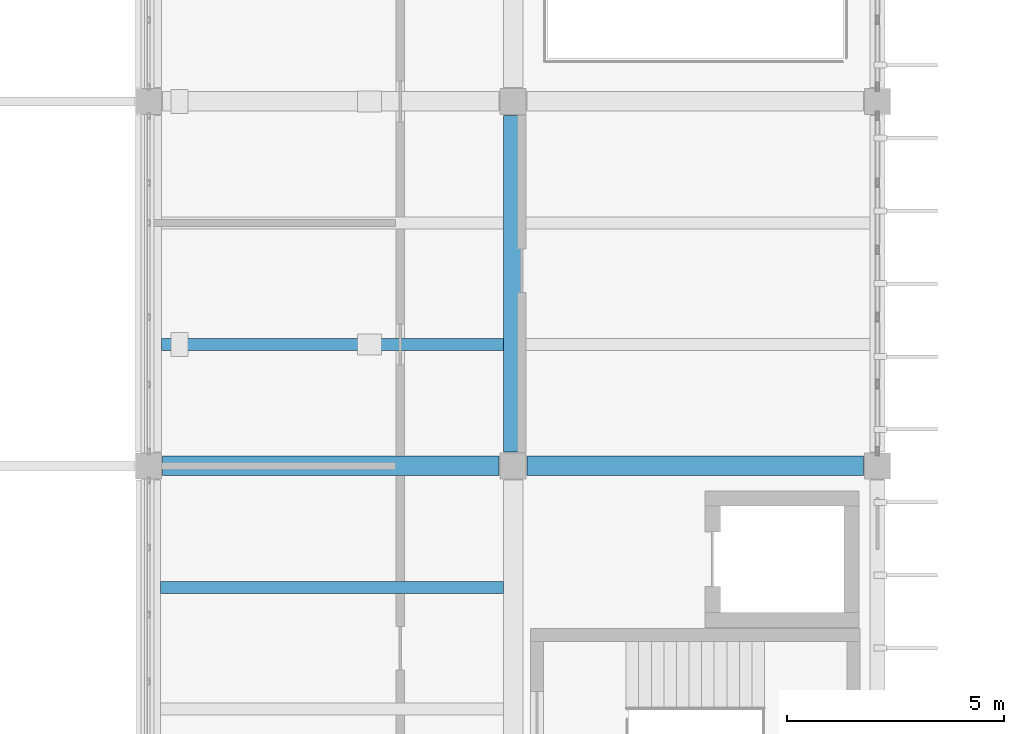
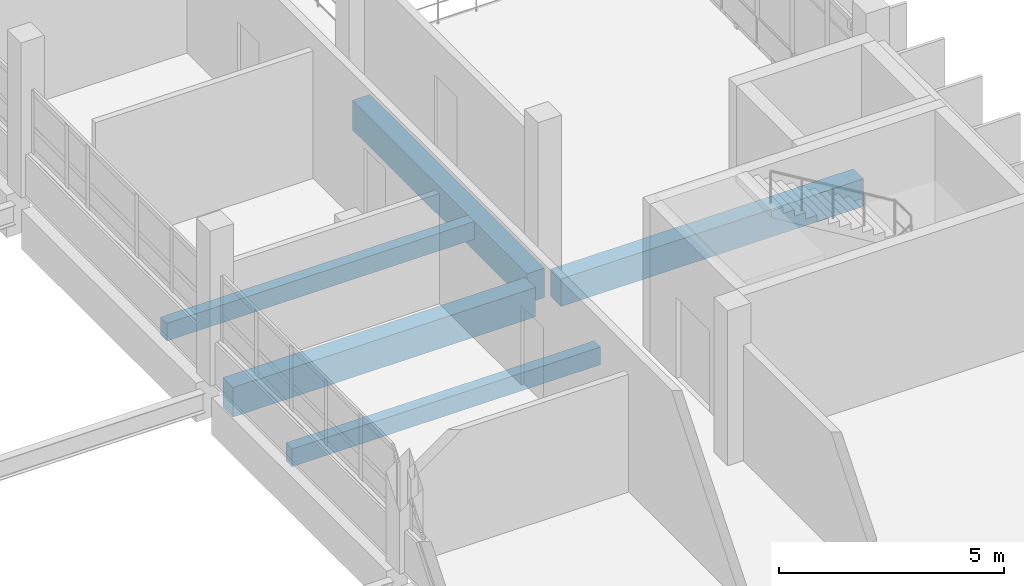
# One storey, part 46 of 130: 5 beams.
"""IFC4 building model written with IfcOpenShell, lengths in metres."""

import ifcopenshell
import ifcopenshell.guid

model = None  # the IFC model being written
_history = None  # IfcOwnerHistory: only IFC2X3 demands one
_inside = {}  # id of a spatial element -> (the spatial element, [elements in it])
_under = {}  # id of a project, library or spatial element -> (it, [spatial elements below it])
_declared = {}  # id of a project -> (the project, [libraries it declares])
_typed = {}  # id of a type object -> (the type object, [elements of that type])
_made_of = {}  # id of a material, layer set ... -> (it, [elements and type objects made of it])


def new_model(schema):
    """Start an empty IFC model of exactly this schema.

    Asked for "IFC4X3", IfcOpenShell would pick the latest addendum, in which some entities
    have other attributes; the version numbers below select the first issue.
    IFC2X3 requires an IfcOwnerHistory on every rooted entity: one is made here for all.
    """
    global model, _history
    if schema == "IFC4X3":
        model = ifcopenshell.file(schema_version=(4, 3, 0, 0))
    else:
        model = ifcopenshell.file(schema=schema)
    _inside.clear()
    _under.clear()
    _declared.clear()
    _typed.clear()
    _made_of.clear()
    _history = None
    if model.schema == "IFC2X3":
        org = make("IfcOrganization", Name="unknown")
        user = make(
            "IfcPersonAndOrganization",
            ThePerson=make("IfcPerson", FamilyName="unknown"),
            TheOrganization=org,
        )
        app = make(
            "IfcApplication",
            ApplicationDeveloper=org,
            Version="unknown",
            ApplicationFullName="unknown",
            ApplicationIdentifier="unknown",
        )
        _history = make(
            "IfcOwnerHistory",
            OwningUser=user,
            OwningApplication=app,
            ChangeAction="ADDED",
            CreationDate=0,
        )
    return model


def make(cls, **values):
    """One entity of the class cls with the attributes given. An attribute that is None is left unset."""
    return model.create_entity(
        cls, **{name: value for name, value in values.items() if value is not None}
    )


def rooted(cls, **values):
    """An entity with a GlobalId (a new one), such as an element, a storey or a relation."""
    return make(cls, GlobalId=ifcopenshell.guid.new(), OwnerHistory=_history, **values)


def si_unit(unit_type, name, prefix=None):
    """IfcSIUnit, for example si_unit("LENGTHUNIT", "METRE", prefix="MILLI")."""
    return make("IfcSIUnit", UnitType=unit_type, Prefix=prefix, Name=name)


def assignment(units):
    """IfcUnitAssignment: the units of a project."""
    return None if units is None else make("IfcUnitAssignment", Units=units)


def point(xyz):
    """IfcCartesianPoint."""
    return None if xyz is None else make("IfcCartesianPoint", Coordinates=xyz)


def direction(xyz):
    """IfcDirection."""
    return None if xyz is None else make("IfcDirection", DirectionRatios=xyz)


def frame(location, z_axis=None, x_axis=None):
    """IfcAxis2Placement3D, a coordinate frame: its origin and axes. An axis left out is left unset."""
    return make(
        "IfcAxis2Placement3D",
        Location=point(location),
        Axis=direction(z_axis),
        RefDirection=direction(x_axis),
    )


def frame_2d(location, x_axis=None):
    """IfcAxis2Placement2D, a coordinate frame in the plane: its origin and x axis."""
    return make(
        "IfcAxis2Placement2D", Location=point(location), RefDirection=direction(x_axis)
    )


def origin():
    """The frame at (0, 0, 0) with its axes left unset."""
    return frame((0.0, 0.0, 0.0))


def origin_2d():
    """The frame at (0, 0) in the plane with its x axis left unset."""
    return frame_2d((0.0, 0.0))


def place(relative_to, where):
    """IfcLocalPlacement: puts the frame where relative to a parent placement (None: the world)."""
    return make(
        "IfcLocalPlacement", PlacementRelTo=relative_to, RelativePlacement=where
    )


def context(
    kind, dimensions, precision=None, world=None, true_north=None, identifier=None
):
    """IfcGeometricRepresentationContext, for example the 3D "Model" context."""
    return make(
        "IfcGeometricRepresentationContext",
        ContextIdentifier=identifier,
        ContextType=kind,
        CoordinateSpaceDimension=dimensions,
        Precision=precision,
        WorldCoordinateSystem=world,
        TrueNorth=true_north,
    )


def subcontext(parent, identifier, kind, view, scale=None):
    """IfcGeometricRepresentationSubContext, for example "Body" below "Model"."""
    return make(
        "IfcGeometricRepresentationSubContext",
        ContextIdentifier=identifier,
        ContextType=kind,
        ParentContext=parent,
        TargetScale=scale,
        TargetView=view,
    )


def project(units=None, contexts=None):
    """IfcProject with its units and contexts."""
    return rooted(
        "IfcProject",
        Name="project",
        RepresentationContexts=contexts,
        UnitsInContext=assignment(units),
    )


def spatial(cls, under=None, at=None, **own):
    """A site, building, storey or space (cls), placed at a placement, below another one or the project."""
    s = rooted(cls, ObjectPlacement=at, **own)
    if under is not None:
        _under.setdefault(under.id(), (under, []))[1].append(s)
    return s


def profile(cls, at=None, kind="AREA", **sizes):
    """A parametric profile (cls). Its sizes go by their IFC names, for example OverallWidth=200.0."""
    return make(cls, ProfileType=kind, Position=at, **sizes)


def rectangle(**sizes):
    """IfcRectangleProfileDef."""
    return profile("IfcRectangleProfileDef", **sizes)


def extrude(swept, where, along, depth):
    """IfcExtrudedAreaSolid: the profile swept, set in the frame where, extruded along a direction by depth."""
    return make(
        "IfcExtrudedAreaSolid",
        SweptArea=swept,
        Position=where,
        ExtrudedDirection=direction(along),
        Depth=depth,
    )


def shape(context_of_items, identifier, shape_type, items):
    """IfcShapeRepresentation: the items that make up one representation, for example the "Body"."""
    return make(
        "IfcShapeRepresentation",
        ContextOfItems=context_of_items,
        RepresentationIdentifier=identifier,
        RepresentationType=shape_type,
        Items=items,
    )


def material(Name=None, Category=None):
    """IfcMaterial."""
    return make("IfcMaterial", Name=Name, Category=Category)


def material_profile(
    of_material, cross_section, Name=None, Category=None, Priority=None
):
    """IfcMaterialProfile: a cross section and its material."""
    return make(
        "IfcMaterialProfile",
        Name=Name,
        Material=of_material,
        Profile=cross_section,
        Priority=Priority,
        Category=Category,
    )


def profile_set(profiles, Name=None, composite=None):
    """IfcMaterialProfileSet."""
    return make(
        "IfcMaterialProfileSet",
        Name=Name,
        MaterialProfiles=profiles,
        CompositeProfile=composite,
    )


def made_of(thing, what):
    """Note that an element or type object is made of a material, layer set ...; save() writes the relation."""
    if what is not None:
        _made_of.setdefault(what.id(), (what, []))[1].append(thing)
    return thing


def type_object(cls, material=None, **own):
    """A type object (cls), such as IfcWallType, which elements share."""
    return made_of(rooted(cls, **own), material)


def element(
    cls,
    number,
    at=None,
    inside=None,
    cuts=None,
    type_object=None,
    material=None,
    context=None,
    identifier="Body",
    shape_type=None,
    held_by="IfcProductDefinitionShape",
    body=None,
    shapes=None,
    **own,
):
    """One element of the class cls, such as IfcWall. Its Tag is "e" and its number.

    at: its placement. inside: the storey or other place that contains it. cuts: it is an
    opening in that element (IfcRelVoidsElement). A single representation is given by context,
    identifier, shape_type and body (its items); several are given by shapes. held_by: the class
    of the entity that holds the representations. save() writes the other relations.
    """
    e = rooted(cls, Tag="e%d" % number, ObjectPlacement=at, **own)
    if body is not None:
        shapes = [shape(context, identifier, shape_type, body)]
    if shapes is not None:
        e.Representation = make(held_by, Representations=shapes)
    if inside is not None:
        _inside.setdefault(inside.id(), (inside, []))[1].append(e)
    if cuts is not None:
        rooted(
            "IfcRelVoidsElement", RelatingBuildingElement=cuts, RelatedOpeningElement=e
        )
    if type_object is not None:
        _typed.setdefault(type_object.id(), (type_object, []))[1].append(e)
    return made_of(e, material)


def aggregate(whole, parts):
    """IfcRelAggregates: a whole, such as a stair, and the parts it consists of."""
    return rooted("IfcRelAggregates", RelatingObject=whole, RelatedObjects=parts)


def save(model, path):
    """Write the relations noted so far, then the file.

    IfcRelAggregates (storeys below a building ...), IfcRelContainedInSpatialStructure (elements
    in a storey), IfcRelDefinesByType, IfcRelAssociatesMaterial and IfcRelDeclares: one each for
    every whole, place, type object, material and project.
    """
    for whole, parts in _under.values():
        aggregate(whole, parts)
    for where, things in _inside.values():
        rooted(
            "IfcRelContainedInSpatialStructure",
            RelatedElements=things,
            RelatingStructure=where,
        )
    for kind, things in _typed.values():
        rooted("IfcRelDefinesByType", RelatedObjects=things, RelatingType=kind)
    for what, things in _made_of.values():
        rooted("IfcRelAssociatesMaterial", RelatedObjects=things, RelatingMaterial=what)
    for by, libraries in _declared.values():
        rooted("IfcRelDeclares", RelatingContext=by, RelatedDefinitions=libraries)
    model.write(path)


model = new_model("IFC4")

# Units and contexts
model_context = context("Model", 3, precision=1e-05, world=origin(), true_north=direction((0.0, 1.0)))
body_context = subcontext(model_context, "Body", "Model", "MODEL_VIEW")
ifc_project = project(units=[si_unit("LENGTHUNIT", "METRE"), si_unit("AREAUNIT", "SQUARE_METRE"), si_unit("VOLUMEUNIT", "CUBIC_METRE"), si_unit("PLANEANGLEUNIT", "RADIAN"), si_unit("MASSUNIT", "GRAM", prefix="KILO")], contexts=[model_context])

# Site, building, storey
site_placement = place(None, origin())
site = spatial("IfcSite", under=ifc_project, at=site_placement, CompositionType="ELEMENT")
building_placement = place(site_placement, origin())
building = spatial("IfcBuilding", under=site, at=building_placement, Name="Vireocrest Preparatory School", CompositionType="ELEMENT")
storey_placement = place(building_placement, frame((0.0, 0.0, 9.0)))
storey = spatial("IfcBuildingStorey", under=building, at=storey_placement, Name="L02", CompositionType="ELEMENT", Elevation=9.0)

# Beams
ifc_material = material(Name="Concrete 40 MPa", Category="concrete")
ifc_material_profile_1 = material_profile(ifc_material, rectangle(XDim=0.449951171875, YDim=0.75, at=origin_2d()), Name="RC 450x750")
ifc_profile_set_1 = profile_set([ifc_material_profile_1], Name="Concrete 40 MPa")
beam_type_1 = type_object("IfcBeamType", Name="RC Library Stack Girder 450x750", PredefinedType="BEAM", material=ifc_profile_set_1)
beam_1_placement = place(storey_placement, frame((101.125, 52.199951171875, -0.675048828125), z_axis=(1.0, 0.0, 0.0), x_axis=(0.0, 1.0, 0.0)))
element("IfcBeam", 1, at=beam_1_placement, inside=storey, type_object=beam_type_1, Name="Primary Girder B11 L02-0731", PredefinedType="BEAM", context=body_context, shape_type="SweptSolid", body=[
    extrude(rectangle(XDim=0.449951171875, YDim=0.75, at=origin_2d()), origin(), (0.0, 0.0, 1.0), 7.75),
])
ifc_material_profile_2 = material_profile(ifc_material, rectangle(XDim=0.449951171875, YDim=0.800048828125, at=origin_2d()), Name="RC 450x800")
ifc_profile_set_2 = profile_set([ifc_material_profile_2], Name="Concrete 40 MPa")
beam_type_2 = type_object("IfcBeamType", Name="RC Library Stack Girder 450x800", PredefinedType="BEAM", material=ifc_profile_set_2)
for number, where, z_axis, x_axis, name in (
    (2, (92.72509765625, 52.199951171875, -0.699951171875), (1.0, 0.0, 0.0), (0.0, 1.0, 0.0), "Primary Girder B12 L02-0730"),
    (3, (100.800048828125, 52.52490234375, -0.699951171875), (0.0, 1.0, 0.0), (-1.0, 0.0, 0.0), "Primary Girder B12 L02-0851"),
):
    element("IfcBeam", number, at=place(storey_placement, frame(where, z_axis=z_axis, x_axis=x_axis)), inside=storey, type_object=beam_type_2, Name=name, PredefinedType="BEAM", context=body_context, shape_type="SweptSolid", body=[
        extrude(rectangle(XDim=0.449951171875, YDim=0.800048828125, at=origin_2d()), origin(), (0.0, 0.0, 1.0), 7.75),
    ])
ifc_material_profile_3 = material_profile(ifc_material, rectangle(XDim=0.280029296875, YDim=0.47998046875, at=origin_2d()), Name="RC 280x480")
ifc_profile_set_3 = profile_set([ifc_material_profile_3], Name="Concrete 40 MPa")
beam_type_3 = type_object("IfcBeamType", Name="RC Secondary Lab Joist 280x480", PredefinedType="JOIST", material=ifc_profile_set_3)
beam_2_placement = place(storey_placement, frame((92.675048828125, 49.39990234375, -0.5400390625), z_axis=(1.0, 0.0, 0.0), x_axis=(0.0, 1.0, 0.0)))
element("IfcBeam", 4, at=beam_2_placement, inside=storey, type_object=beam_type_3, Name="Secondary Joist J02 L02-0973", PredefinedType="JOIST", context=body_context, shape_type="SweptSolid", body=[
    extrude(rectangle(XDim=0.280029296875, YDim=0.47998046875, at=origin_2d()), origin(), (0.0, 0.0, 1.0), 7.89990234375),
])
beam_3_placement = place(storey_placement, frame((92.699951171875, 55.0, -0.5400390625), z_axis=(1.0, 0.0, 0.0), x_axis=(0.0, 1.0, 0.0)))
element("IfcBeam", 5, at=beam_3_placement, inside=storey, type_object=beam_type_3, Name="Secondary Joist J02 L02-0974", PredefinedType="JOIST", context=body_context, shape_type="SweptSolid", body=[
    extrude(rectangle(XDim=0.280029296875, YDim=0.47998046875, at=origin_2d()), origin(), (0.0, 0.0, 1.0), 7.875),
])

save(model, "model.ifc")
